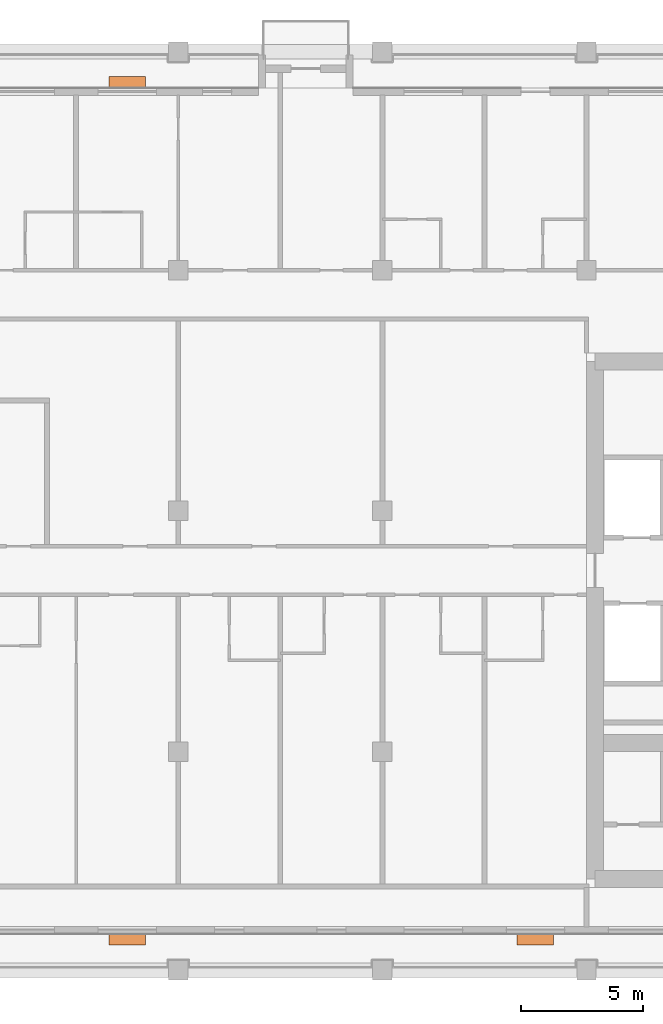
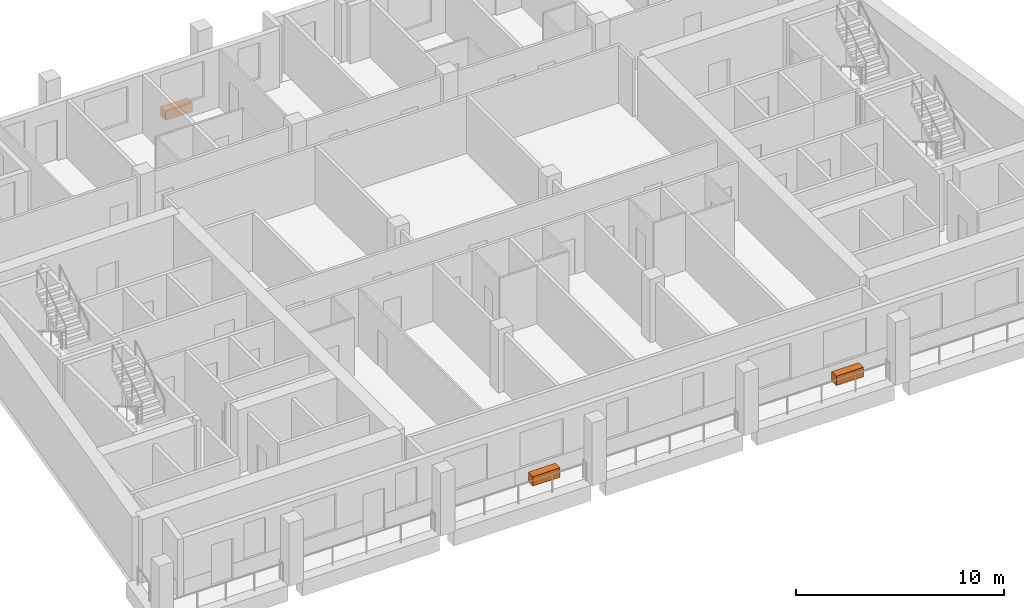
# One storey, part 13 of 13: 3 proxies.
"""IFC4 building model written with IfcOpenShell, lengths in metres."""

from ifc_helpers import new_model, si_unit, direction, frame, origin, origin_2d, place, context, subcontext, project, spatial, rectangle, extrude, element, save


model = new_model("IFC4")

# Units and contexts
model_context = context("Model", 3, precision=1e-05, world=origin(), true_north=direction((0.0, 1.0)))
body_context = subcontext(model_context, "Body", "Model", "MODEL_VIEW")
ifc_project = project(units=[si_unit("LENGTHUNIT", "METRE"), si_unit("AREAUNIT", "SQUARE_METRE"), si_unit("VOLUMEUNIT", "CUBIC_METRE"), si_unit("PLANEANGLEUNIT", "RADIAN"), si_unit("MASSUNIT", "GRAM", prefix="KILO")], contexts=[model_context])

# Site, building, storey
site_placement = place(None, origin())
site = spatial("IfcSite", under=ifc_project, at=site_placement, CompositionType="ELEMENT")
building_placement = place(site_placement, origin())
building = spatial("IfcBuilding", under=site, at=building_placement, Name="Candeia Pilgrim Tower and Theatre", CompositionType="ELEMENT")
storey_placement = place(building_placement, frame((0.0, 0.0, 277.5)))
storey = spatial("IfcBuildingStorey", under=building, at=storey_placement, Name="L67", CompositionType="ELEMENT", Elevation=277.5)

# Proxies
for number, where, z_axis, x_axis, name in (
    (1, (107.10009765625, 108.2548828125, 0.0), (0.0, 0.0, 1.0), (1.0, 0.0, 0.0), "Planter"),
    (2, (123.89990234375, 108.2548828125, 0.0), (0.0, 0.0, 1.0), (1.0, 0.0, 0.0), "Planter"),
    (3, (107.10009765625, 143.544921875, 0.0), (0.0, 0.0, 1.0), (-1.0, 0.0, 0.0), "Planter"),
):
    element("IfcBuildingElementProxy", number, at=place(storey_placement, frame(where, z_axis=z_axis, x_axis=x_axis)), inside=storey, Name=name, ObjectType="PLANTER", PredefinedType="USERDEFINED", context=body_context, shape_type="SweptSolid", body=[
        extrude(rectangle(XDim=1.5, YDim=0.449951171875, at=origin_2d()), origin(), (0.0, 0.0, 1.0), 0.550048828125),
    ])

save(model, "model.ifc")
